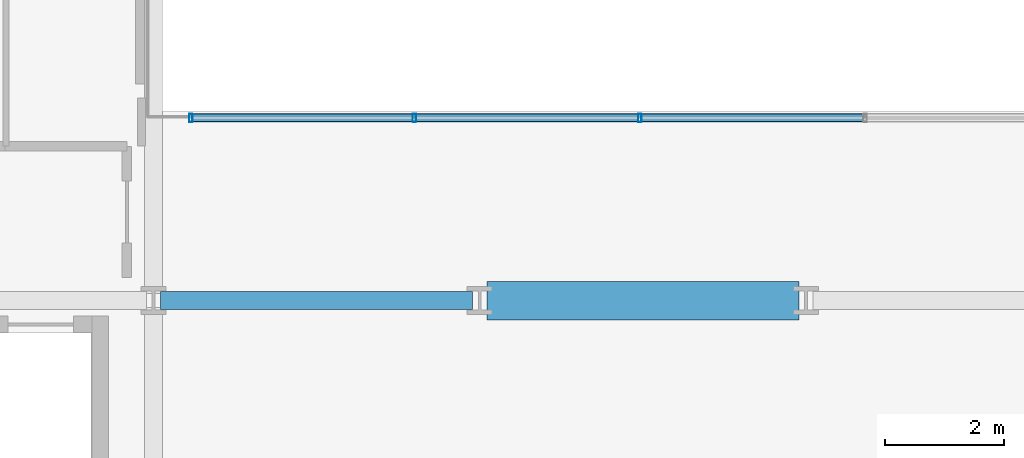
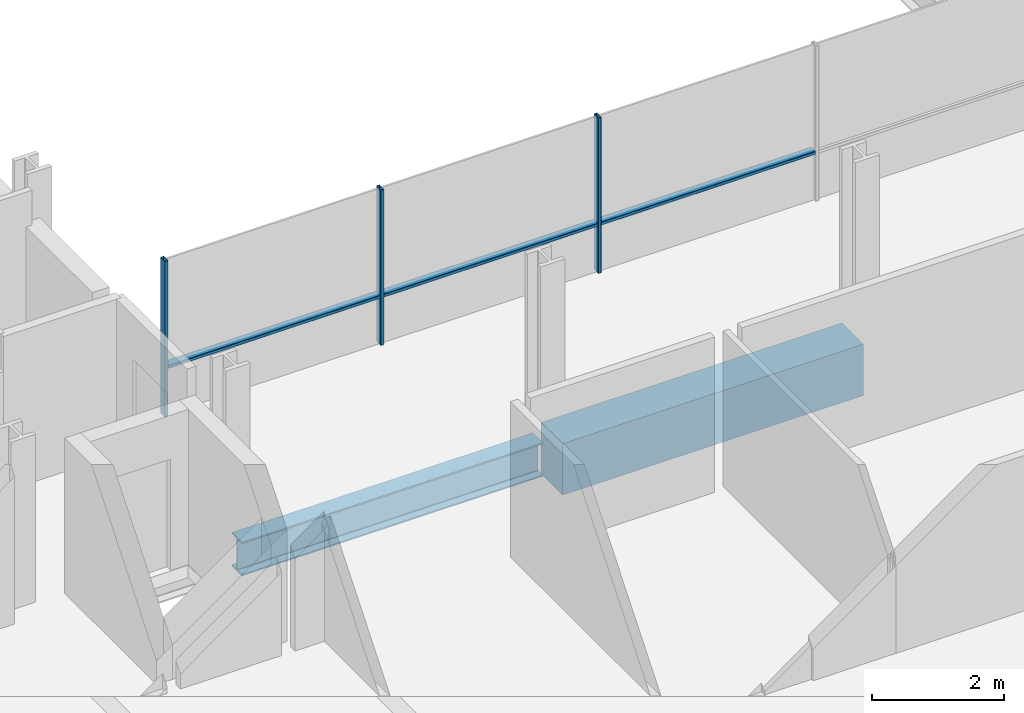
# One storey, part 4 of 41: 6 members, 2 beams, 1 element without a shape of its own.
"""IFC4 building model written with IfcOpenShell, lengths in metres."""

from ifc_helpers import new_model, si_unit, direction, frame, origin, origin_2d, place, context, subcontext, project, spatial, rectangle, hollow_rectangle, i_section, extrude, material, layer, layer_set, material_profile, profile_set, type_object, element, aggregate, save


model = new_model("IFC4")

# Units and contexts
model_context = context("Model", 3, precision=1e-05, world=origin(), true_north=direction((0.0, 1.0)))
body_context = subcontext(model_context, "Body", "Model", "MODEL_VIEW")
ifc_project = project(units=[si_unit("LENGTHUNIT", "METRE"), si_unit("AREAUNIT", "SQUARE_METRE"), si_unit("VOLUMEUNIT", "CUBIC_METRE"), si_unit("PLANEANGLEUNIT", "RADIAN"), si_unit("MASSUNIT", "GRAM", prefix="KILO")], contexts=[model_context])

# Site, building, storey
site_placement = place(None, origin())
site = spatial("IfcSite", under=ifc_project, at=site_placement, CompositionType="ELEMENT")
building_placement = place(site_placement, origin())
building = spatial("IfcBuilding", under=site, at=building_placement, Name="Brevholm Reach", CompositionType="ELEMENT")
storey_placement = place(building_placement, frame((0.0, 0.0, 55.89990234375)))
storey = spatial("IfcBuildingStorey", under=building, at=storey_placement, Name="L15", CompositionType="ELEMENT", Elevation=55.89990234375)

# Beams
ifc_material_1 = material(Name="Concrete C60/75", Category="concrete")
ifc_material_profile_1 = material_profile(ifc_material_1, rectangle(XDim=0.64990234375, YDim=0.949951171875, at=origin_2d()), Name="RC 650x950")
ifc_profile_set_1 = profile_set([ifc_material_profile_1], Name="Concrete C60/75")
beam_type_1 = type_object("IfcBeamType", Name="BM-CB650", PredefinedType="LINTEL", material=ifc_profile_set_1)
beam_1_placement = place(storey_placement, frame((27.3701171875, 10.0, -0.704833984375), z_axis=(1.0, 0.0, 0.0), x_axis=(0.0, 1.0, 0.0)))
element("IfcBeam", 1, at=beam_1_placement, inside=storey, type_object=beam_type_1, Name="L15 CB-01 Framing Beam", PredefinedType="LINTEL", context=body_context, shape_type="SweptSolid", body=[
    extrude(rectangle(XDim=0.64990234375, YDim=0.949951171875, at=origin_2d()), origin(), (0.0, 0.0, 1.0), 5.259765625),
])
ifc_material_2 = material(Name="Structural Steel S355J2", Category="steel")
ifc_material_profile_2 = material_profile(ifc_material_2, i_section(OverallWidth=0.30712890625, OverallDepth=0.6201171875, WebThickness=0.01416015625, FlangeThickness=0.023681640625, FilletRadius=0.0166015625, at=origin_2d()), Name="UKB 610x305x179")
ifc_profile_set_2 = profile_set([ifc_material_profile_2], Name="Structural Steel S355J2")
beam_type_2 = type_object("IfcBeamType", Name="BM-UKB610H", PredefinedType="USERDEFINED", material=ifc_profile_set_2)
beam_2_placement = place(storey_placement, frame((21.8701171875, 10.0, -0.5400390625), z_axis=(1.0, 0.0, 0.0), x_axis=(0.0, 1.0, 0.0)))
element("IfcBeam", 2, at=beam_2_placement, inside=storey, type_object=beam_type_2, Name="L15 G-06 Framing Beam", ObjectType="GIRDER", PredefinedType="USERDEFINED", context=body_context, shape_type="SweptSolid", body=[
    extrude(i_section(OverallWidth=0.30712890625, OverallDepth=0.6201171875, WebThickness=0.01416015625, FlangeThickness=0.023681640625, FilletRadius=0.0166015625, at=origin_2d()), origin(), (0.0, 0.0, 1.0), 5.259765625),
])

# Curtain wall, members
ifc_material_3 = material(Name="Dark Anodised Aluminium 6063-T6 and Solar-Control Glass", Category="aluminium")
ifc_layer = layer(ifc_material_3, 0.139892578125)
ifc_layer_set = layer_set([ifc_layer], Name="Dark Anodised Aluminium 6063-T6 and Solar-Control Glass")
curtain_wall_type = type_object("IfcCurtainWallType", Name="CW-02", PredefinedType="NOTDEFINED", material=ifc_layer_set)
curtain_wall_placement = place(storey_placement, origin())
curtain_wall = element("IfcCurtainWall", 3, at=curtain_wall_placement, inside=storey, type_object=curtain_wall_type, Name="L15 Curtain Wall CW-02", PredefinedType="NOTDEFINED")
ifc_material_4 = material(Name="Dark Anodised Aluminium 6063-T6", Category="aluminium")
ifc_material_profile_3 = material_profile(ifc_material_4, hollow_rectangle(XDim=0.06005859375, YDim=0.139892578125, WallThickness=0.0048828125, InnerFilletRadius=0.0048828125, OuterFilletRadius=0.010009765625, at=origin_2d()), Name="RHS 140x60x5")
ifc_profile_set_3 = profile_set([ifc_material_profile_3], Name="Dark Anodised Aluminium 6063-T6")
member_type_1 = type_object("IfcMemberType", Name="CWM-140", PredefinedType="MULLION", material=ifc_profile_set_3)
member_1_placement = place(storey_placement, frame((22.3798828125, 13.080078125, 0.0), z_axis=(0.0, 0.0, 1.0), x_axis=(1.0, 0.0, 0.0)))
member_1 = element("IfcMember", 4, at=member_1_placement, type_object=member_type_1, Name="CM-140 Mullion 1", PredefinedType="MULLION", context=body_context, shape_type="SweptSolid", body=[
    extrude(hollow_rectangle(XDim=0.06005859375, YDim=0.139892578125, WallThickness=0.0048828125, InnerFilletRadius=0.0048828125, OuterFilletRadius=0.010009765625, at=origin_2d()), origin(), (0.0, 0.0, 1.0), 2.8701171875),
])
member_2_placement = place(storey_placement, frame((26.14990234375, 13.080078125, 0.0), z_axis=(0.0, 0.0, 1.0), x_axis=(1.0, 0.0, 0.0)))
member_2 = element("IfcMember", 5, at=member_2_placement, type_object=member_type_1, Name="CM-140 Mullion 2", PredefinedType="MULLION", context=body_context, shape_type="SweptSolid", body=[
    extrude(hollow_rectangle(XDim=0.06005859375, YDim=0.139892578125, WallThickness=0.0048828125, InnerFilletRadius=0.0048828125, OuterFilletRadius=0.010009765625, at=origin_2d()), origin(), (0.0, 0.0, 1.0), 2.8701171875),
])
member_3_placement = place(storey_placement, frame((29.949951171875, 13.080078125, 0.0), z_axis=(0.0, 0.0, 1.0), x_axis=(1.0, 0.0, 0.0)))
member_3 = element("IfcMember", 6, at=member_3_placement, type_object=member_type_1, Name="CM-140 Mullion 3", PredefinedType="MULLION", context=body_context, shape_type="SweptSolid", body=[
    extrude(hollow_rectangle(XDim=0.06005859375, YDim=0.139892578125, WallThickness=0.0048828125, InnerFilletRadius=0.0048828125, OuterFilletRadius=0.010009765625, at=origin_2d()), origin(), (0.0, 0.0, 1.0), 2.8701171875),
])
ifc_material_5 = material(Name="Dark Anodised Aluminium 6063-T6", Category="aluminium")
ifc_material_profile_4 = material_profile(ifc_material_5, hollow_rectangle(XDim=0.06005859375, YDim=0.139892578125, WallThickness=0.0048828125, InnerFilletRadius=0.0048828125, OuterFilletRadius=0.010009765625, at=origin_2d()), Name="RHS 140x60x5")
ifc_profile_set_4 = profile_set([ifc_material_profile_4], Name="Dark Anodised Aluminium 6063-T6")
member_type_2 = type_object("IfcMemberType", Name="CWT-140", PredefinedType="NOTDEFINED", material=ifc_profile_set_4)
member_4_placement = place(storey_placement, frame((22.409912109375, 13.080078125, 0.900146484375), z_axis=(1.0, 0.0, 0.0), x_axis=(0.0, 0.0, 1.0)))
member_4 = element("IfcMember", 7, at=member_4_placement, type_object=member_type_2, Name="CT-140 Transom 1.1", ObjectType="TRANSOM", PredefinedType="USERDEFINED", context=body_context, shape_type="SweptSolid", body=[
    extrude(hollow_rectangle(XDim=0.06005859375, YDim=0.139892578125, WallThickness=0.0048828125, InnerFilletRadius=0.0048828125, OuterFilletRadius=0.010009765625, at=origin_2d()), origin(), (0.0, 0.0, 1.0), 3.710205078125),
])
member_5_placement = place(storey_placement, frame((26.179931640625, 13.080078125, 0.900146484375), z_axis=(1.0, 0.0, 0.0), x_axis=(0.0, 0.0, 1.0)))
member_5 = element("IfcMember", 8, at=member_5_placement, type_object=member_type_2, Name="CT-140 Transom 2.1", ObjectType="TRANSOM", PredefinedType="USERDEFINED", context=body_context, shape_type="SweptSolid", body=[
    extrude(hollow_rectangle(XDim=0.06005859375, YDim=0.139892578125, WallThickness=0.0048828125, InnerFilletRadius=0.0048828125, OuterFilletRadius=0.010009765625, at=origin_2d()), origin(), (0.0, 0.0, 1.0), 3.739990234375),
])
member_6_placement = place(storey_placement, frame((29.97998046875, 13.080078125, 0.900146484375), z_axis=(1.0, 0.0, 0.0), x_axis=(0.0, 0.0, 1.0)))
member_6 = element("IfcMember", 9, at=member_6_placement, type_object=member_type_2, Name="CT-140 Transom 3.1", ObjectType="TRANSOM", PredefinedType="USERDEFINED", context=body_context, shape_type="SweptSolid", body=[
    extrude(hollow_rectangle(XDim=0.06005859375, YDim=0.139892578125, WallThickness=0.0048828125, InnerFilletRadius=0.0048828125, OuterFilletRadius=0.010009765625, at=origin_2d()), origin(), (0.0, 0.0, 1.0), 3.739990234375),
])
aggregate(curtain_wall, [member_1, member_2, member_3, member_4, member_5, member_6])

save(model, "model.ifc")
